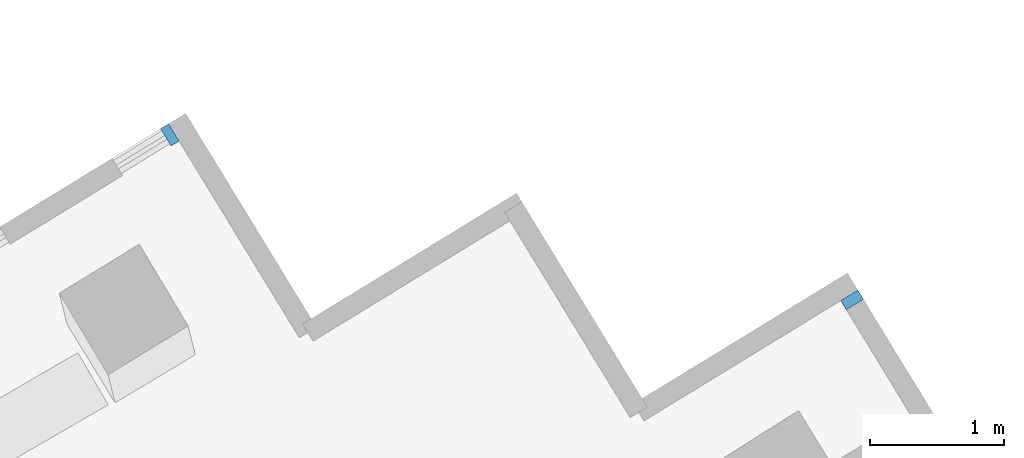
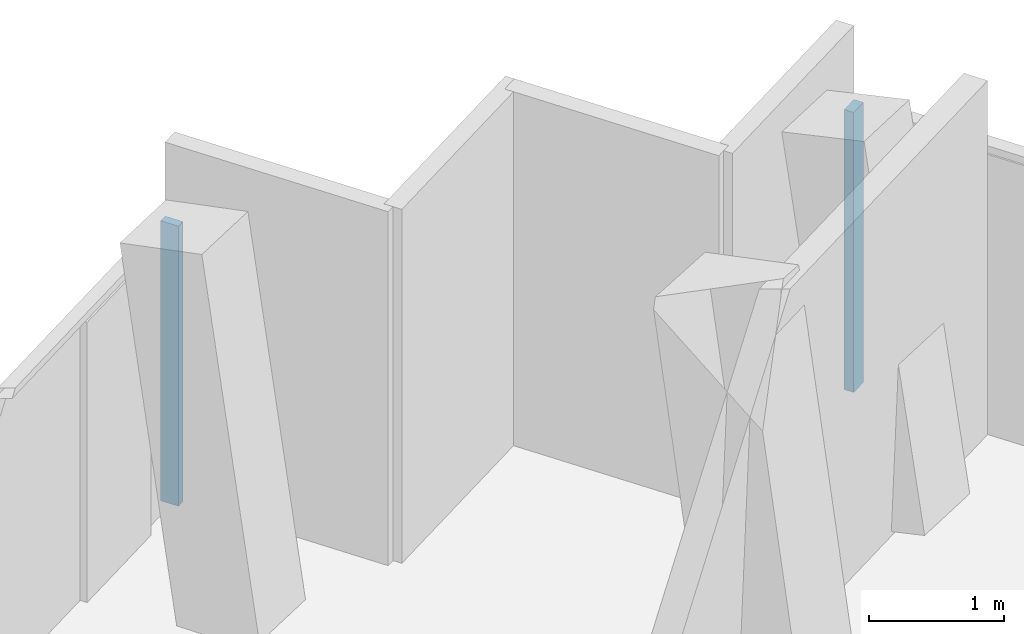
# One storey, part 11 of 26: 2 members, 2 elements without a shape of their own.
"""IFC4 building model written with IfcOpenShell, lengths in metres."""

from ifc_helpers import new_model, si_unit, direction, frame, origin, origin_2d, place, context, subcontext, project, spatial, rectangle, extrude, material, layer, layer_set, material_profile, profile_set, type_object, element, aggregate, save


model = new_model("IFC4")

# Units and contexts
model_context = context("Model", 3, precision=1e-05, world=origin(), true_north=direction((0.0, 1.0)))
body_context = subcontext(model_context, "Body", "Model", "MODEL_VIEW")
ifc_project = project(units=[si_unit("LENGTHUNIT", "METRE"), si_unit("AREAUNIT", "SQUARE_METRE"), si_unit("VOLUMEUNIT", "CUBIC_METRE"), si_unit("PLANEANGLEUNIT", "RADIAN"), si_unit("MASSUNIT", "GRAM", prefix="KILO")], contexts=[model_context])

# Site, building, storey
site_placement = place(None, origin())
site = spatial("IfcSite", under=ifc_project, at=site_placement, CompositionType="ELEMENT")
building_placement = place(site_placement, origin())
building = spatial("IfcBuilding", under=site, at=building_placement, Name="Verdalira Terraces Hotel", CompositionType="ELEMENT")
storey_placement = place(building_placement, frame((0.0, 0.0, 284.5)))
storey = spatial("IfcBuildingStorey", under=building, at=storey_placement, Name="L70", CompositionType="ELEMENT", Elevation=284.5)

# Curtain wall, member
ifc_material_1 = material(Name="Clear glass", Category="glass")
ifc_layer_1 = layer(ifc_material_1, 0.14990234375)
ifc_layer_set_1 = layer_set([ifc_layer_1], Name="CW2 curtain wall")
curtain_wall_type_1 = type_object("IfcCurtainWallType", Name="CW2 curtain wall", PredefinedType="NOTDEFINED", material=ifc_layer_set_1)
curtain_wall_1_placement = place(storey_placement, origin())
curtain_wall_1 = element("IfcCurtainWall", 1, at=curtain_wall_1_placement, inside=storey, type_object=curtain_wall_type_1, Name="CW2 curtain wall L70 edge 38", PredefinedType="NOTDEFINED")
ifc_material_2 = material(Name="Terracotta frame", Category="masonry")
ifc_material_profile_1 = material_profile(ifc_material_2, rectangle(XDim=0.070068, YDim=0.149902, at=origin_2d()), Name="MU 70x150")
ifc_profile_set_1 = profile_set([ifc_material_profile_1], Name="Terracotta frame")
member_type_1 = type_object("IfcMemberType", Name="CW2 mullion 70x150", PredefinedType="MULLION", material=ifc_profile_set_1)
member_1_placement = place(storey_placement, frame((29.981934, 25.860352, 0.0), z_axis=(0.0, 0.0, 1.0), x_axis=(-0.853186856, -0.521605396, 0.0)))
member_1 = element("IfcMember", 2, at=member_1_placement, type_object=member_type_1, Name="CW2 mullion", PredefinedType="MULLION", context=body_context, shape_type="SweptSolid", body=[
    extrude(rectangle(XDim=0.070068, YDim=0.149902, at=origin_2d()), origin(), (0.0, 0.0, 1.0), 2.524902),
])
aggregate(curtain_wall_1, [member_1])

ifc_material_3 = material(Name="Clear glass", Category="glass")
ifc_layer_2 = layer(ifc_material_3, 0.14990234375)
ifc_layer_set_2 = layer_set([ifc_layer_2], Name="CW3 curtain wall")
curtain_wall_type_2 = type_object("IfcCurtainWallType", Name="CW3 curtain wall", PredefinedType="NOTDEFINED", material=ifc_layer_set_2)
curtain_wall_2_placement = place(storey_placement, origin())
curtain_wall_2 = element("IfcCurtainWall", 3, at=curtain_wall_2_placement, inside=storey, type_object=curtain_wall_type_2, Name="CW3 curtain wall L70 edge 33", PredefinedType="NOTDEFINED")
ifc_material_4 = material(Name="Terracotta frame", Category="masonry")
ifc_material_profile_2 = material_profile(ifc_material_4, rectangle(XDim=0.080078, YDim=0.149902, at=origin_2d()), Name="MU 80x150")
ifc_profile_set_2 = profile_set([ifc_material_profile_2], Name="Terracotta frame")
member_type_2 = type_object("IfcMemberType", Name="CW3 mullion 80x150", PredefinedType="MULLION", material=ifc_profile_set_2)
member_2_placement = place(storey_placement, frame((35.084961, 24.625977, 0.0), z_axis=(0.0, 0.0, 1.0), x_axis=(-0.521605396, 0.853186856, 0.0)))
member_2 = element("IfcMember", 4, at=member_2_placement, type_object=member_type_2, Name="CW3 mullion", PredefinedType="MULLION", context=body_context, shape_type="SweptSolid", body=[
    extrude(rectangle(XDim=0.080078, YDim=0.149902, at=origin_2d()), origin(), (0.0, 0.0, 1.0), 2.524902),
])
aggregate(curtain_wall_2, [member_2])

save(model, "model.ifc")
